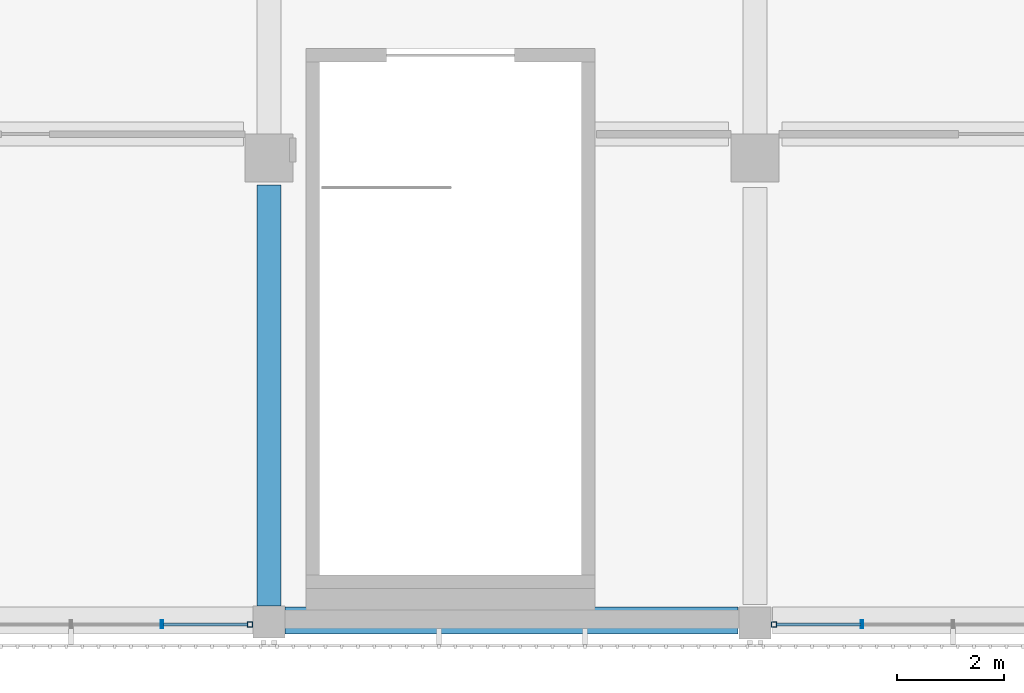
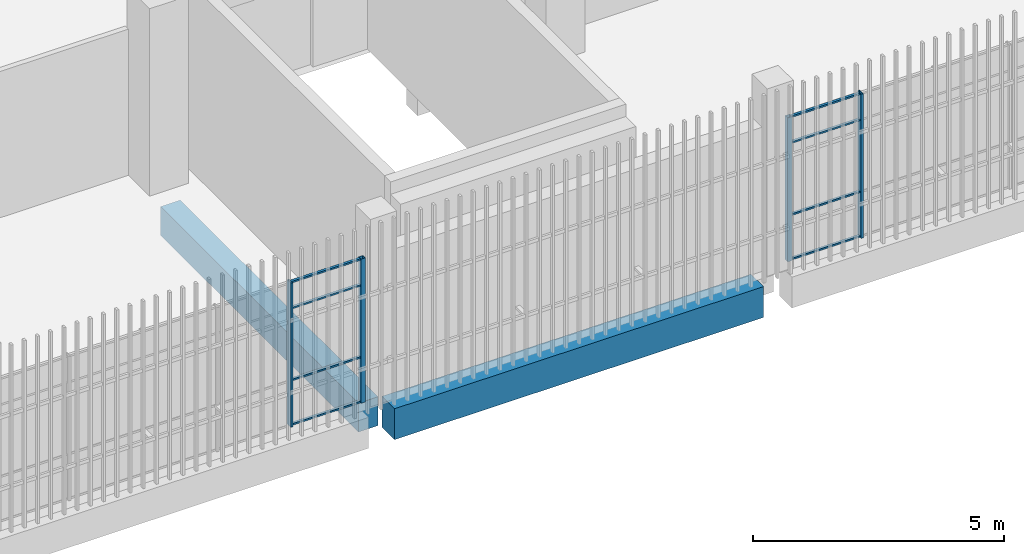
# One storey, part 15 of 104: 12 members, 2 beams, 2 elements without a shape of their own.
"""IFC4 building model written with IfcOpenShell, lengths in metres."""

from ifc_helpers import new_model, si_unit, direction, frame, origin, origin_2d, place, context, subcontext, project, spatial, rectangle, hollow_rectangle, extrude, material, layer, layer_set, material_profile, profile_set, type_object, element, aggregate, save


model = new_model("IFC4")

# Units and contexts
model_context = context("Model", 3, precision=1e-05, world=origin(), true_north=direction((0.0, 1.0)))
body_context = subcontext(model_context, "Body", "Model", "MODEL_VIEW")
ifc_project = project(units=[si_unit("LENGTHUNIT", "METRE"), si_unit("AREAUNIT", "SQUARE_METRE"), si_unit("VOLUMEUNIT", "CUBIC_METRE"), si_unit("PLANEANGLEUNIT", "RADIAN"), si_unit("MASSUNIT", "GRAM", prefix="KILO")], contexts=[model_context])

# Site, building, storey
site_placement = place(None, origin())
site = spatial("IfcSite", under=ifc_project, at=site_placement, CompositionType="ELEMENT")
building_placement = place(site_placement, origin())
building = spatial("IfcBuilding", under=site, at=building_placement, Name="Shirokan Park Arena", CompositionType="ELEMENT")
storey_placement = place(building_placement, frame((0.0, 0.0, 10.919921875)))
storey = spatial("IfcBuildingStorey", under=building, at=storey_placement, Name="L02", CompositionType="ELEMENT", Elevation=10.919921875)

# Curtain wall, member
ifc_material_1 = material(Name="Steel and glass curtain wall", Category="steel")
ifc_layer = layer(ifc_material_1, 0.14990234375)
ifc_layer_set = layer_set([ifc_layer], Name="Steel and glass curtain wall 150 mm")
curtain_wall_type = type_object("IfcCurtainWallType", Name="Curtain wall exposed bay 150", PredefinedType="NOTDEFINED", material=ifc_layer_set)
curtain_wall_1_placement = place(storey_placement, origin())
curtain_wall_1 = element("IfcCurtainWall", 1, at=curtain_wall_1_placement, inside=storey, type_object=curtain_wall_type, Name="Curtain wall south bay 9 L02", PredefinedType="NOTDEFINED")
ifc_material_2 = material(Name="Steel S355", Category="steel")
ifc_material_profile_1 = material_profile(ifc_material_2, hollow_rectangle(XDim=0.10009765625, YDim=0.10009765625, WallThickness=0.006103515625, at=origin_2d()), Name="RHS 100x100x6")
ifc_profile_set_1 = profile_set([ifc_material_profile_1], Name="Steel S355")
member_type_1 = type_object("IfcMemberType", Name="Mullion RHS 100x100x6", PredefinedType="MULLION", material=ifc_profile_set_1)
member_1_placement = place(storey_placement, frame((81.550048828125, -0.074951171875, 0.0), z_axis=(0.0, 0.0, 1.0), x_axis=(0.0, 1.0, 0.0)))
member_1 = element("IfcMember", 2, at=member_1_placement, type_object=member_type_1, Name="CW1 mullion 6", PredefinedType="MULLION", context=body_context, shape_type="SweptSolid", body=[
    extrude(hollow_rectangle(XDim=0.10009765625, YDim=0.10009765625, WallThickness=0.006103515625, at=origin_2d()), origin(), (0.0, 0.0, 1.0), 3.5),
])

curtain_wall_2_placement = place(storey_placement, origin())
curtain_wall_2 = element("IfcCurtainWall", 3, at=curtain_wall_2_placement, inside=storey, type_object=curtain_wall_type, Name="Curtain wall south bay 11 L02", PredefinedType="NOTDEFINED")
member_2_placement = place(storey_placement, frame((91.35009765625, -0.074951171875, 0.0), z_axis=(0.0, 0.0, 1.0), x_axis=(0.0, 1.0, 0.0)))
member_2 = element("IfcMember", 4, at=member_2_placement, type_object=member_type_1, Name="CW1 mullion 1", PredefinedType="MULLION", context=body_context, shape_type="SweptSolid", body=[
    extrude(hollow_rectangle(XDim=0.10009765625, YDim=0.10009765625, WallThickness=0.006103515625, at=origin_2d()), origin(), (0.0, 0.0, 1.0), 3.5),
])

# Member
ifc_material_profile_2 = material_profile(ifc_material_2, hollow_rectangle(XDim=0.14990234375, YDim=0.050048828125, WallThickness=0.006103515625, at=origin_2d()), Name="RHS 150x50x6")
ifc_profile_set_2 = profile_set([ifc_material_profile_2], Name="Steel S355")
member_type_2 = type_object("IfcMemberType", Name="Mullion RHS 150x50x6", PredefinedType="MULLION", material=ifc_profile_set_2)
member_3_placement = place(storey_placement, frame((79.89990234375, -0.074951171875, 0.0), z_axis=(0.0, 0.0, 1.0), x_axis=(0.0, 1.0, 0.0)))
member_3 = element("IfcMember", 5, at=member_3_placement, type_object=member_type_2, Name="CW1 mullion 5", PredefinedType="MULLION", context=body_context, shape_type="SweptSolid", body=[
    extrude(hollow_rectangle(XDim=0.14990234375, YDim=0.050048828125, WallThickness=0.006103515625, at=origin_2d()), origin(), (0.0, 0.0, 1.0), 3.5),
])

member_4_placement = place(storey_placement, frame((93.0, -0.074951171875, 0.0), z_axis=(0.0, 0.0, 1.0), x_axis=(0.0, 1.0, 0.0)))
member_4 = element("IfcMember", 6, at=member_4_placement, type_object=member_type_2, Name="CW1 mullion 2", PredefinedType="MULLION", context=body_context, shape_type="SweptSolid", body=[
    extrude(hollow_rectangle(XDim=0.14990234375, YDim=0.050048828125, WallThickness=0.006103515625, at=origin_2d()), origin(), (0.0, 0.0, 1.0), 3.5),
])

# Beams
ifc_material_3 = material(Name="Concrete C35", Category="concrete")
ifc_material_profile_3 = material_profile(ifc_material_3, rectangle(XDim=0.449951171875, YDim=0.699951171875, at=origin_2d()), Name="450x700")
ifc_profile_set_3 = profile_set([ifc_material_profile_3], Name="Concrete C35")
beam_type_1 = type_object("IfcBeamType", Name="RC girder 450x700", PredefinedType="BEAM", material=ifc_profile_set_3)
beam_1_placement = place(storey_placement, frame((81.89990234375, 0.275146484375, -0.64990234375), z_axis=(0.0, 1.0, 0.0), x_axis=(-1.0, 0.0, 0.0)))
element("IfcBeam", 7, at=beam_1_placement, inside=storey, type_object=beam_type_1, Name="Girder 10A-10B L02", PredefinedType="BEAM", context=body_context, shape_type="SweptSolid", body=[
    extrude(rectangle(XDim=0.449951171875, YDim=0.699951171875, at=origin_2d()), origin(), (0.0, 0.0, 1.0), 7.874755859375),
])
ifc_material_profile_4 = material_profile(ifc_material_3, rectangle(XDim=0.5, YDim=0.75, at=origin_2d()), Name="500x750")
ifc_profile_set_4 = profile_set([ifc_material_profile_4], Name="Concrete C35")
beam_type_2 = type_object("IfcBeamType", Name="RC girder 500x750", PredefinedType="BEAM", material=ifc_profile_set_4)
beam_2_placement = place(storey_placement, frame((82.2001953125, 0.0, -0.6748046875), z_axis=(1.0, 0.0, 0.0), x_axis=(0.0, 1.0, 0.0)))
element("IfcBeam", 8, at=beam_2_placement, inside=storey, type_object=beam_type_2, Name="Girder 10A-11A L02", PredefinedType="BEAM", context=body_context, shape_type="SweptSolid", body=[
    extrude(rectangle(XDim=0.5, YDim=0.75, at=origin_2d()), origin(), (0.0, 0.0, 1.0), 8.474609375),
])

# Member
ifc_material_profile_5 = material_profile(ifc_material_2, hollow_rectangle(XDim=0.06005859375, YDim=0.0400390625, WallThickness=0.00390625, at=origin_2d()), Name="RHS 60x40x4")
ifc_profile_set_5 = profile_set([ifc_material_profile_5], Name="Steel S355")
member_type_3 = type_object("IfcMemberType", Name="Transom RHS 60x40x4", PredefinedType="MULLION", material=ifc_profile_set_5)
member_5_placement = place(storey_placement, frame((79.925048828125, -0.074951171875, 0.02001953125), z_axis=(1.0, 0.0, 0.0), x_axis=(0.0, 1.0, 0.0)))
member_5 = element("IfcMember", 9, at=member_5_placement, type_object=member_type_3, Name="CW1 transom 5.1", PredefinedType="MULLION", context=body_context, shape_type="SweptSolid", body=[
    extrude(hollow_rectangle(XDim=0.06005859375, YDim=0.0400390625, WallThickness=0.00390625, at=origin_2d()), origin(), (0.0, 0.0, 1.0), 1.574951171875),
])

member_6_placement = place(storey_placement, frame((79.925048828125, -0.074951171875, 1.10009765625), z_axis=(1.0, 0.0, 0.0), x_axis=(0.0, 1.0, 0.0)))
member_6 = element("IfcMember", 10, at=member_6_placement, type_object=member_type_3, Name="CW1 transom 5.2", PredefinedType="MULLION", context=body_context, shape_type="SweptSolid", body=[
    extrude(hollow_rectangle(XDim=0.06005859375, YDim=0.0400390625, WallThickness=0.00390625, at=origin_2d()), origin(), (0.0, 0.0, 1.0), 1.574951171875),
])

member_7_placement = place(storey_placement, frame((79.925048828125, -0.074951171875, 2.85009765625), z_axis=(1.0, 0.0, 0.0), x_axis=(0.0, 1.0, 0.0)))
member_7 = element("IfcMember", 11, at=member_7_placement, type_object=member_type_3, Name="CW1 transom 5.3", PredefinedType="MULLION", context=body_context, shape_type="SweptSolid", body=[
    extrude(hollow_rectangle(XDim=0.06005859375, YDim=0.0400390625, WallThickness=0.00390625, at=origin_2d()), origin(), (0.0, 0.0, 1.0), 1.574951171875),
])

member_8_placement = place(storey_placement, frame((79.925048828125, -0.074951171875, 3.47998046875), z_axis=(1.0, 0.0, 0.0), x_axis=(0.0, 1.0, 0.0)))
member_8 = element("IfcMember", 12, at=member_8_placement, type_object=member_type_3, Name="CW1 transom 5.4", PredefinedType="MULLION", context=body_context, shape_type="SweptSolid", body=[
    extrude(hollow_rectangle(XDim=0.06005859375, YDim=0.0400390625, WallThickness=0.00390625, at=origin_2d()), origin(), (0.0, 0.0, 1.0), 1.574951171875),
])

aggregate(curtain_wall_1, [member_3, member_1, member_5, member_6, member_7, member_8])

member_9_placement = place(storey_placement, frame((91.39990234375, -0.074951171875, 0.02001953125), z_axis=(1.0, 0.0, 0.0), x_axis=(0.0, 1.0, 0.0)))
member_9 = element("IfcMember", 13, at=member_9_placement, type_object=member_type_3, Name="CW1 transom 1.1", PredefinedType="MULLION", context=body_context, shape_type="SweptSolid", body=[
    extrude(hollow_rectangle(XDim=0.06005859375, YDim=0.0400390625, WallThickness=0.00390625, at=origin_2d()), origin(), (0.0, 0.0, 1.0), 1.5751953125),
])

member_10_placement = place(storey_placement, frame((91.39990234375, -0.074951171875, 1.10009765625), z_axis=(1.0, 0.0, 0.0), x_axis=(0.0, 1.0, 0.0)))
member_10 = element("IfcMember", 14, at=member_10_placement, type_object=member_type_3, Name="CW1 transom 1.2", PredefinedType="MULLION", context=body_context, shape_type="SweptSolid", body=[
    extrude(hollow_rectangle(XDim=0.06005859375, YDim=0.0400390625, WallThickness=0.00390625, at=origin_2d()), origin(), (0.0, 0.0, 1.0), 1.5751953125),
])

member_11_placement = place(storey_placement, frame((91.39990234375, -0.074951171875, 2.85009765625), z_axis=(1.0, 0.0, 0.0), x_axis=(0.0, 1.0, 0.0)))
member_11 = element("IfcMember", 15, at=member_11_placement, type_object=member_type_3, Name="CW1 transom 1.3", PredefinedType="MULLION", context=body_context, shape_type="SweptSolid", body=[
    extrude(hollow_rectangle(XDim=0.06005859375, YDim=0.0400390625, WallThickness=0.00390625, at=origin_2d()), origin(), (0.0, 0.0, 1.0), 1.5751953125),
])

member_12_placement = place(storey_placement, frame((91.39990234375, -0.074951171875, 3.47998046875), z_axis=(1.0, 0.0, 0.0), x_axis=(0.0, 1.0, 0.0)))
member_12 = element("IfcMember", 16, at=member_12_placement, type_object=member_type_3, Name="CW1 transom 1.4", PredefinedType="MULLION", context=body_context, shape_type="SweptSolid", body=[
    extrude(hollow_rectangle(XDim=0.06005859375, YDim=0.0400390625, WallThickness=0.00390625, at=origin_2d()), origin(), (0.0, 0.0, 1.0), 1.5751953125),
])

aggregate(curtain_wall_2, [member_2, member_4, member_9, member_10, member_11, member_12])

save(model, "model.ifc")
